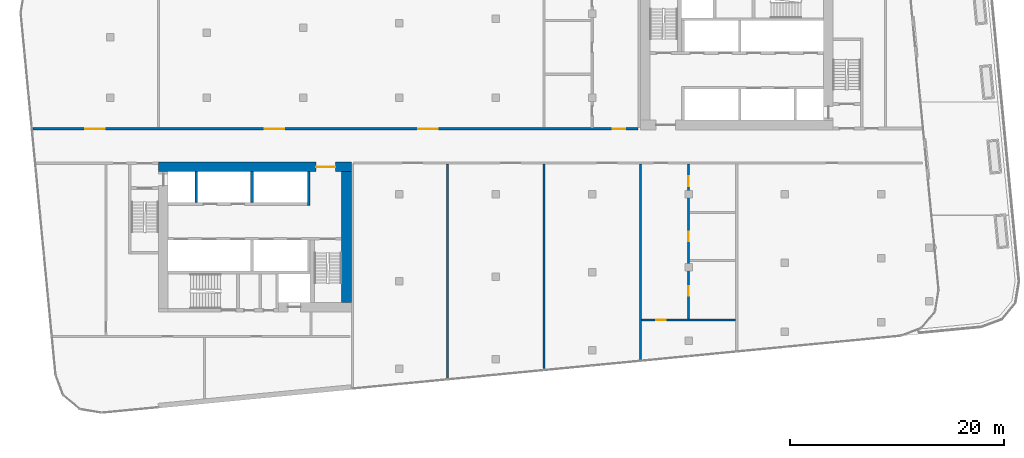
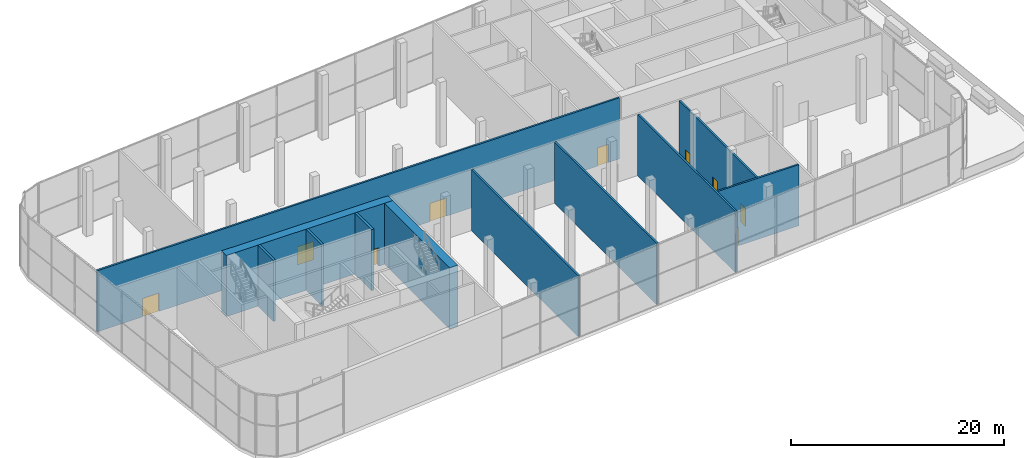
# One storey, part 13 of 25: 11 walls, 9 doors, 9 openings.
"""IFC4 building model written with IfcOpenShell, lengths in metres."""

from ifc_helpers import new_model, si_unit, direction, frame, frame_2d, origin, place, context, subcontext, project, spatial, rectangle, extrude, material, layer, layer_set, type_object, element, fill, save


model = new_model("IFC4")

# Units and contexts
model_context = context("Model", 3, precision=1e-05, world=origin(), true_north=direction((0.0, 1.0)))
body_context = subcontext(model_context, "Body", "Model", "MODEL_VIEW")
ifc_project = project(units=[si_unit("LENGTHUNIT", "METRE"), si_unit("AREAUNIT", "SQUARE_METRE"), si_unit("VOLUMEUNIT", "CUBIC_METRE"), si_unit("PLANEANGLEUNIT", "RADIAN"), si_unit("MASSUNIT", "GRAM", prefix="KILO")], contexts=[model_context])

# Site, building, storey
site_placement = place(None, origin())
site = spatial("IfcSite", under=ifc_project, at=site_placement, CompositionType="ELEMENT")
building_placement = place(site_placement, origin())
building = spatial("IfcBuilding", under=site, at=building_placement, Name="Kajstack Hotel Tower", CompositionType="ELEMENT")
storey_placement = place(building_placement, frame((0.0, 0.0, 155.0)))
storey = spatial("IfcBuildingStorey", under=building, at=storey_placement, Name="L36", CompositionType="ELEMENT", Elevation=155.0)

# Wall, opening, door
ifc_material_1 = material(Name="Concrete C60/75", Category="concrete")
ifc_layer_1 = layer(ifc_material_1, 0.89990234375)
ifc_layer_set_1 = layer_set([ifc_layer_1], Name="Core wall 900")
wall_type_1 = type_object("IfcWallType", Name="Core wall 900", PredefinedType="SHEAR", material=ifc_layer_set_1)
wall_1_placement = place(storey_placement, frame((-31.5, -1.949951171875, 0.0), z_axis=(0.0, 0.0, 1.0), x_axis=(1.0, 0.0, 0.0)))
wall_1 = element("IfcWall", 1, at=wall_1_placement, inside=storey, type_object=wall_type_1, Name="Core wall W RN", PredefinedType="SHEAR", context=body_context, shape_type="SweptSolid", body=[
    extrude(rectangle(XDim=18.0, YDim=0.89990234375, at=frame_2d((9.0, 0.0))), origin(), (0.0, 0.0, 1.0), 7.0),
])
opening_1_placement = place(wall_1_placement, frame((14.72509765625, 0.0, 0.0)))
opening_1 = element("IfcOpeningElement", 2, at=opening_1_placement, cuts=wall_1, Name="Opening 36W10", PredefinedType="OPENING", context=body_context, shape_type="SweptSolid", body=[
    extrude(rectangle(XDim=1.800048828125, YDim=2.10009765625, at=frame_2d((0.89990234375, 1.050048828125))), frame((0.0, 0.4599609375, 0.0), z_axis=(0.0, -1.0, 0.0), x_axis=(1.0, 0.0, 0.0)), (0.0, 0.0, 1.0), 0.919921875),
])
ifc_material_2 = material(Name="Glazed steel frame, fire-rated glass", Category="steel")
door_type_1 = type_object("IfcDoorType", Name="Lobby double door 1800", OperationType="DOUBLE_DOOR_DOUBLE_SWING", PredefinedType="DOOR", material=ifc_material_2)
door_1_placement = place(opening_1_placement, origin())
door_1 = element("IfcDoor", 3, at=door_1_placement, inside=storey, type_object=door_type_1, Name="Door 36W10", OperationType="DOUBLE_DOOR_DOUBLE_SWING", OverallHeight=2.10009765625, OverallWidth=1.800048828125, PredefinedType="DOOR", context=body_context, shape_type="SweptSolid", body=[
    extrude(rectangle(XDim=1.800048828125, YDim=2.10009765625, at=frame_2d((0.89990234375, 1.050048828125))), frame((0.0, 0.02490234375, 0.0), z_axis=(0.0, -1.0, 0.0), x_axis=(1.0, 0.0, 0.0)), (0.0, 0.0, 1.0), 0.050048828125),
])
fill(opening_1, door_1)

# Walls
wall_2_placement = place(storey_placement, frame((-13.949951171875, -14.60009765625, 0.0), z_axis=(0.0, 0.0, 1.0), x_axis=(0.0, 1.0, 0.0)))
element("IfcWall", 4, at=wall_2_placement, inside=storey, type_object=wall_type_1, Name="Core wall W RE", PredefinedType="SHEAR", context=body_context, shape_type="SweptSolid", body=[
    extrude(rectangle(XDim=12.2001953125, YDim=0.89990234375, at=frame_2d((6.10009765625, 0.0))), origin(), (0.0, 0.0, 1.0), 7.0),
])
ifc_material_3 = material(Name="Concrete C50/60", Category="concrete")
ifc_layer_2 = layer(ifc_material_3, 0.300048828125)
ifc_layer_set_2 = layer_set([ifc_layer_2], Name="Hoistway divider wall 300")
wall_type_2 = type_object("IfcWallType", Name="Hoistway divider wall 300", PredefinedType="SHEAR", material=ifc_layer_set_2)
wall_3_placement = place(storey_placement, frame((-22.77490234375, -5.300048828125, 0.0), z_axis=(0.0, 0.0, 1.0), x_axis=(0.0, 1.0, 0.0)))
element("IfcWall", 5, at=wall_3_placement, inside=storey, type_object=wall_type_2, Name="Core wall W AP2", PredefinedType="SHEAR", context=body_context, shape_type="SweptSolid", body=[
    extrude(rectangle(XDim=2.900146484375, YDim=0.25, at=frame_2d((1.4501953125, 0.0))), origin(), (0.0, 0.0, 1.0), 7.0),
])

# Wall, openings, doors
ifc_material_4 = material(Name="Gypsum board on steel studs, mineral wool", Category="steel")
ifc_layer_3 = layer(ifc_material_4, 0.199951171875)
ifc_layer_set_3 = layer_set([ifc_layer_3], Name="Public partition 200")
wall_type_3 = type_object("IfcWallType", Name="Public partition 200", PredefinedType="PARTITIONING", material=ifc_layer_set_3)
wall_4_placement = place(storey_placement, frame((-43.243408203125, 1.60009765625, 0.0), z_axis=(0.0, 0.0, 1.0), x_axis=(1.0, 0.0, 0.0)))
wall_4 = element("IfcWall", 6, at=wall_4_placement, inside=storey, type_object=wall_type_3, Name="Partition FW", PredefinedType="PARTITIONING", context=body_context, shape_type="SweptSolid", body=[
    extrude(rectangle(XDim=56.54345703125, YDim=0.199951171875, at=frame_2d((28.271728515625, 0.0))), origin(), (0.0, 0.0, 1.0), 7.0),
])
opening_2_placement = place(wall_4_placement, frame((54.1435546875, 0.0, 0.0)))
opening_2 = element("IfcOpeningElement", 7, at=opening_2_placement, cuts=wall_4, Name="Opening 36P01", PredefinedType="OPENING", context=body_context, shape_type="SweptSolid", body=[
    extrude(rectangle(XDim=1.199951171875, YDim=2.10009765625, at=frame_2d((0.60009765625, 1.050048828125))), frame((0.0, 0.10986328125, 0.0), z_axis=(0.0, -1.0, 0.0), x_axis=(1.0, 0.0, 0.0)), (0.0, 0.0, 1.0), 0.219970703125),
])
opening_3_placement = place(wall_4_placement, frame((36.00341796875, 0.0, 0.0)))
opening_3 = element("IfcOpeningElement", 8, at=opening_3_placement, cuts=wall_4, Name="Opening 36P07", PredefinedType="OPENING", context=body_context, shape_type="SweptSolid", body=[
    extrude(rectangle(XDim=1.800048828125, YDim=2.10009765625, at=frame_2d((0.89990234375, 1.050048828125))), frame((0.0, 0.10986328125, 0.0), z_axis=(0.0, -1.0, 0.0), x_axis=(1.0, 0.0, 0.0)), (0.0, 0.0, 1.0), 0.219970703125),
])
opening_4_placement = place(wall_4_placement, frame((21.68359375, 0.0, 0.0)))
opening_4 = element("IfcOpeningElement", 9, at=opening_4_placement, cuts=wall_4, Name="Opening 36P08", PredefinedType="OPENING", context=body_context, shape_type="SweptSolid", body=[
    extrude(rectangle(XDim=1.800048828125, YDim=2.10009765625, at=frame_2d((0.89990234375, 1.050048828125))), frame((0.0, 0.10986328125, 0.0), z_axis=(0.0, -1.0, 0.0), x_axis=(1.0, 0.0, 0.0)), (0.0, 0.0, 1.0), 0.219970703125),
])
opening_5_placement = place(wall_4_placement, frame((4.908447265625, 0.0, 0.0)))
opening_5 = element("IfcOpeningElement", 10, at=opening_5_placement, cuts=wall_4, Name="Opening 36P09", PredefinedType="OPENING", context=body_context, shape_type="SweptSolid", body=[
    extrude(rectangle(XDim=1.800048828125, YDim=2.10009765625, at=frame_2d((0.89990234375, 1.050048828125))), frame((0.0, 0.10986328125, 0.0), z_axis=(0.0, -1.0, 0.0), x_axis=(1.0, 0.0, 0.0)), (0.0, 0.0, 1.0), 0.219970703125),
])
ifc_material_5 = material(Name="Timber leaf, fire-rated", Category="wood")
door_type_2 = type_object("IfcDoorType", Name="Public corridor door 1200", OperationType="SINGLE_SWING_LEFT", PredefinedType="DOOR", material=ifc_material_5)
door_2_placement = place(opening_2_placement, origin())
door_2 = element("IfcDoor", 11, at=door_2_placement, inside=storey, type_object=door_type_2, Name="Door 36P01", OperationType="SINGLE_SWING_LEFT", OverallHeight=2.10009765625, OverallWidth=1.199951171875, PredefinedType="DOOR", context=body_context, shape_type="SweptSolid", body=[
    extrude(rectangle(XDim=1.199951171875, YDim=2.10009765625, at=frame_2d((0.60009765625, 1.050048828125))), frame((0.0, 0.02490234375, 0.0), z_axis=(0.0, -1.0, 0.0), x_axis=(1.0, 0.0, 0.0)), (0.0, 0.0, 1.0), 0.050048828125),
])
fill(opening_2, door_2)
ifc_material_6 = material(Name="Glazed timber frame, fire-rated glass", Category="wood")
door_type_3 = type_object("IfcDoorType", Name="Public double door 1800", OperationType="DOUBLE_DOOR_DOUBLE_SWING", PredefinedType="DOOR", material=ifc_material_6)
door_3_placement = place(opening_3_placement, origin())
door_3 = element("IfcDoor", 12, at=door_3_placement, inside=storey, type_object=door_type_3, Name="Door 36P07", OperationType="DOUBLE_DOOR_DOUBLE_SWING", OverallHeight=2.10009765625, OverallWidth=1.800048828125, PredefinedType="DOOR", context=body_context, shape_type="SweptSolid", body=[
    extrude(rectangle(XDim=1.800048828125, YDim=2.10009765625, at=frame_2d((0.89990234375, 1.050048828125))), frame((0.0, 0.02490234375, 0.0), z_axis=(0.0, -1.0, 0.0), x_axis=(1.0, 0.0, 0.0)), (0.0, 0.0, 1.0), 0.050048828125),
])
fill(opening_3, door_3)
door_4_placement = place(opening_4_placement, origin())
door_4 = element("IfcDoor", 13, at=door_4_placement, inside=storey, type_object=door_type_3, Name="Door 36P08", OperationType="DOUBLE_DOOR_DOUBLE_SWING", OverallHeight=2.10009765625, OverallWidth=1.800048828125, PredefinedType="DOOR", context=body_context, shape_type="SweptSolid", body=[
    extrude(rectangle(XDim=1.800048828125, YDim=2.10009765625, at=frame_2d((0.89990234375, 1.050048828125))), frame((0.0, 0.02490234375, 0.0), z_axis=(0.0, -1.0, 0.0), x_axis=(1.0, 0.0, 0.0)), (0.0, 0.0, 1.0), 0.050048828125),
])
fill(opening_4, door_4)
door_5_placement = place(opening_5_placement, origin())
door_5 = element("IfcDoor", 14, at=door_5_placement, inside=storey, type_object=door_type_3, Name="Door 36P09", OperationType="DOUBLE_DOOR_DOUBLE_SWING", OverallHeight=2.10009765625, OverallWidth=1.800048828125, PredefinedType="DOOR", context=body_context, shape_type="SweptSolid", body=[
    extrude(rectangle(XDim=1.800048828125, YDim=2.10009765625, at=frame_2d((0.89990234375, 1.050048828125))), frame((0.0, 0.02490234375, 0.0), z_axis=(0.0, -1.0, 0.0), x_axis=(1.0, 0.0, 0.0)), (0.0, 0.0, 1.0), 0.050048828125),
])
fill(opening_5, door_5)

# Walls
wall_5_placement = place(storey_placement, frame((-4.5, -21.7353515625, 0.0), z_axis=(0.0, 0.0, 1.0), x_axis=(0.0, 1.0, 0.0)))
element("IfcWall", 15, at=wall_5_placement, inside=storey, type_object=wall_type_3, Name="Partition SPX0", PredefinedType="PARTITIONING", context=body_context, shape_type="SweptSolid", body=[
    extrude(rectangle(XDim=20.035400390625, YDim=0.199951171875, at=frame_2d((10.017578125, 0.0))), origin(), (0.0, 0.0, 1.0), 7.0),
])
wall_6_placement = place(storey_placement, frame((4.5, -20.86865234375, 0.0), z_axis=(0.0, 0.0, 1.0), x_axis=(0.0, 1.0, 0.0)))
element("IfcWall", 16, at=wall_6_placement, inside=storey, type_object=wall_type_3, Name="Partition SPX1", PredefinedType="PARTITIONING", context=body_context, shape_type="SweptSolid", body=[
    extrude(rectangle(XDim=19.168701171875, YDim=0.199951171875, at=frame_2d((9.58447265625, 0.0))), origin(), (0.0, 0.0, 1.0), 7.0),
])
wall_7_placement = place(storey_placement, frame((13.5, -20.002197265625, 0.0), z_axis=(0.0, 0.0, 1.0), x_axis=(0.0, 1.0, 0.0)))
element("IfcWall", 17, at=wall_7_placement, inside=storey, type_object=wall_type_3, Name="Partition SPX2", PredefinedType="PARTITIONING", context=body_context, shape_type="SweptSolid", body=[
    extrude(rectangle(XDim=18.30224609375, YDim=0.199951171875, at=frame_2d((9.151123046875, 0.0))), origin(), (0.0, 0.0, 1.0), 7.0),
])

# Wall, openings, doors
wall_8_placement = place(storey_placement, frame((18.0, -16.16748046875, 0.0), z_axis=(0.0, 0.0, 1.0), x_axis=(0.0, 1.0, 0.0)))
wall_8 = element("IfcWall", 18, at=wall_8_placement, inside=storey, type_object=wall_type_3, Name="Partition SC3CW", PredefinedType="PARTITIONING", context=body_context, shape_type="SweptSolid", body=[
    extrude(rectangle(XDim=14.467529296875, YDim=0.199951171875, at=frame_2d((7.23388671875, 0.0))), origin(), (0.0, 0.0, 1.0), 7.0),
])
opening_6_placement = place(wall_8_placement, frame((12.41748046875, 0.0, 0.0)))
opening_6 = element("IfcOpeningElement", 19, at=opening_6_placement, cuts=wall_8, Name="Opening 36P14", PredefinedType="OPENING", context=body_context, shape_type="SweptSolid", body=[
    extrude(rectangle(XDim=0.89990234375, YDim=2.10009765625, at=frame_2d((0.449951171875, 1.050048828125))), frame((0.0, 0.10986328125, 0.0), z_axis=(0.0, -1.0, 0.0), x_axis=(1.0, 0.0, 0.0)), (0.0, 0.0, 1.0), 0.219970703125),
])
opening_7_placement = place(wall_8_placement, frame((7.267333984375, 0.0, 0.0)))
opening_7 = element("IfcOpeningElement", 20, at=opening_7_placement, cuts=wall_8, Name="Opening 36P15", PredefinedType="OPENING", context=body_context, shape_type="SweptSolid", body=[
    extrude(rectangle(XDim=0.89990234375, YDim=2.10009765625, at=frame_2d((0.449951171875, 1.050048828125))), frame((0.0, 0.10986328125, 0.0), z_axis=(0.0, -1.0, 0.0), x_axis=(1.0, 0.0, 0.0)), (0.0, 0.0, 1.0), 0.219970703125),
])
opening_8_placement = place(wall_8_placement, frame((2.183349609375, 0.0, 0.0)))
opening_8 = element("IfcOpeningElement", 21, at=opening_8_placement, cuts=wall_8, Name="Opening 36P16", PredefinedType="OPENING", context=body_context, shape_type="SweptSolid", body=[
    extrude(rectangle(XDim=0.89990234375, YDim=2.10009765625, at=frame_2d((0.449951171875, 1.050048828125))), frame((0.0, 0.10986328125, 0.0), z_axis=(0.0, -1.0, 0.0), x_axis=(1.0, 0.0, 0.0)), (0.0, 0.0, 1.0), 0.219970703125),
])
ifc_material_7 = material(Name="Timber leaf", Category="wood")
door_type_4 = type_object("IfcDoorType", Name="Public room door 900", OperationType="SINGLE_SWING_LEFT", PredefinedType="DOOR", material=ifc_material_7)
door_6_placement = place(opening_6_placement, origin())
door_6 = element("IfcDoor", 22, at=door_6_placement, inside=storey, type_object=door_type_4, Name="Door 36P14", OperationType="SINGLE_SWING_RIGHT", OverallHeight=2.10009765625, OverallWidth=0.89990234375, PredefinedType="DOOR", context=body_context, shape_type="SweptSolid", body=[
    extrude(rectangle(XDim=0.89990234375, YDim=2.10009765625, at=frame_2d((0.449951171875, 1.050048828125))), frame((0.0, 0.02490234375, 0.0), z_axis=(0.0, -1.0, 0.0), x_axis=(1.0, 0.0, 0.0)), (0.0, 0.0, 1.0), 0.050048828125),
])
fill(opening_6, door_6)
door_7_placement = place(opening_7_placement, origin())
door_7 = element("IfcDoor", 23, at=door_7_placement, inside=storey, type_object=door_type_4, Name="Door 36P15", OperationType="SINGLE_SWING_RIGHT", OverallHeight=2.10009765625, OverallWidth=0.89990234375, PredefinedType="DOOR", context=body_context, shape_type="SweptSolid", body=[
    extrude(rectangle(XDim=0.89990234375, YDim=2.10009765625, at=frame_2d((0.449951171875, 1.050048828125))), frame((0.0, 0.02490234375, 0.0), z_axis=(0.0, -1.0, 0.0), x_axis=(1.0, 0.0, 0.0)), (0.0, 0.0, 1.0), 0.050048828125),
])
fill(opening_7, door_7)
door_8_placement = place(opening_8_placement, origin())
door_8 = element("IfcDoor", 24, at=door_8_placement, inside=storey, type_object=door_type_4, Name="Door 36P16", OperationType="SINGLE_SWING_RIGHT", OverallHeight=2.10009765625, OverallWidth=0.89990234375, PredefinedType="DOOR", context=body_context, shape_type="SweptSolid", body=[
    extrude(rectangle(XDim=0.89990234375, YDim=2.10009765625, at=frame_2d((0.449951171875, 1.050048828125))), frame((0.0, 0.02490234375, 0.0), z_axis=(0.0, -1.0, 0.0), x_axis=(1.0, 0.0, 0.0)), (0.0, 0.0, 1.0), 0.050048828125),
])
fill(opening_8, door_8)

# Wall, opening, door
wall_9_placement = place(storey_placement, frame((13.60009765625, -16.267333984375, 0.0), z_axis=(0.0, 0.0, 1.0), x_axis=(1.0, 0.0, 0.0)))
wall_9 = element("IfcWall", 25, at=wall_9_placement, inside=storey, type_object=wall_type_3, Name="Partition SC3BW", PredefinedType="PARTITIONING", context=body_context, shape_type="SweptSolid", body=[
    extrude(rectangle(XDim=8.7998046875, YDim=0.199951171875, at=frame_2d((4.39990234375, 0.0))), origin(), (0.0, 0.0, 1.0), 7.0),
])
opening_9_placement = place(wall_9_placement, frame((1.375, 0.0, 0.0)))
opening_9 = element("IfcOpeningElement", 26, at=opening_9_placement, cuts=wall_9, Name="Opening 36P17", PredefinedType="OPENING", context=body_context, shape_type="SweptSolid", body=[
    extrude(rectangle(XDim=0.89990234375, YDim=2.10009765625, at=frame_2d((0.449951171875, 1.050048828125))), frame((0.0, 0.10986328125, 0.0), z_axis=(0.0, -1.0, 0.0), x_axis=(1.0, 0.0, 0.0)), (0.0, 0.0, 1.0), 0.219970703125),
])
door_9_placement = place(opening_9_placement, origin())
door_9 = element("IfcDoor", 27, at=door_9_placement, inside=storey, type_object=door_type_4, Name="Door 36P17", OperationType="SINGLE_SWING_RIGHT", OverallHeight=2.10009765625, OverallWidth=0.89990234375, PredefinedType="DOOR", context=body_context, shape_type="SweptSolid", body=[
    extrude(rectangle(XDim=0.89990234375, YDim=2.10009765625, at=frame_2d((0.449951171875, 1.050048828125))), frame((0.0, 0.02490234375, 0.0), z_axis=(0.0, -1.0, 0.0), x_axis=(1.0, 0.0, 0.0)), (0.0, 0.0, 1.0), 0.050048828125),
])
fill(opening_9, door_9)

# Walls
ifc_layer_4 = layer(ifc_material_3, 0.25)
ifc_layer_set_4 = layer_set([ifc_layer_4], Name="Shaft wall 250")
wall_type_4 = type_object("IfcWallType", Name="Shaft wall 250", PredefinedType="SHEAR", material=ifc_layer_set_4)
wall_10_placement = place(storey_placement, frame((-17.47509765625, -5.550048828125, 0.0), z_axis=(0.0, 0.0, 1.0), x_axis=(0.0, 1.0, 0.0)))
element("IfcWall", 28, at=wall_10_placement, inside=storey, type_object=wall_type_4, Name="Core wall W AE", PredefinedType="SHEAR", context=body_context, shape_type="SweptSolid", body=[
    extrude(rectangle(XDim=3.150146484375, YDim=0.25, at=frame_2d((1.5751953125, 0.0))), origin(), (0.0, 0.0, 1.0), 7.0),
])
wall_11_placement = place(storey_placement, frame((-27.97509765625, -5.300048828125, 0.0), z_axis=(0.0, 0.0, 1.0), x_axis=(0.0, 1.0, 0.0)))
element("IfcWall", 29, at=wall_11_placement, inside=storey, type_object=wall_type_4, Name="Core wall W AP0", PredefinedType="SHEAR", context=body_context, shape_type="SweptSolid", body=[
    extrude(rectangle(XDim=2.900146484375, YDim=0.25, at=frame_2d((1.4501953125, 0.0))), origin(), (0.0, 0.0, 1.0), 7.0),
])

save(model, "model.ifc")
